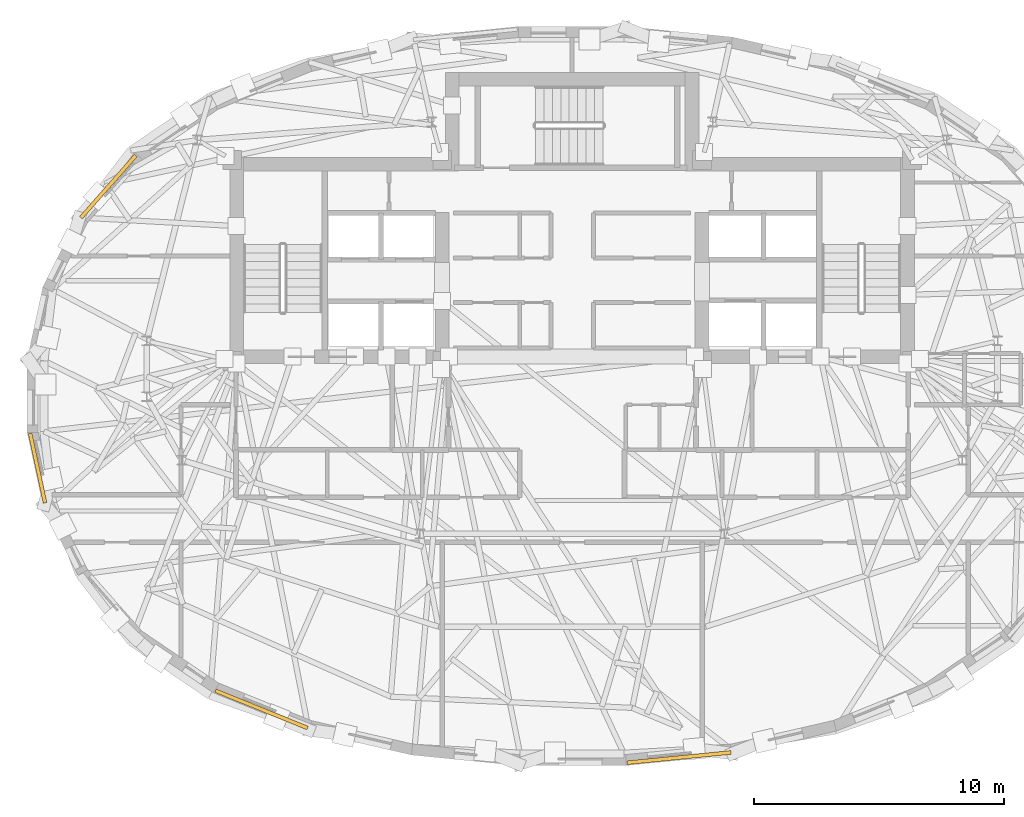
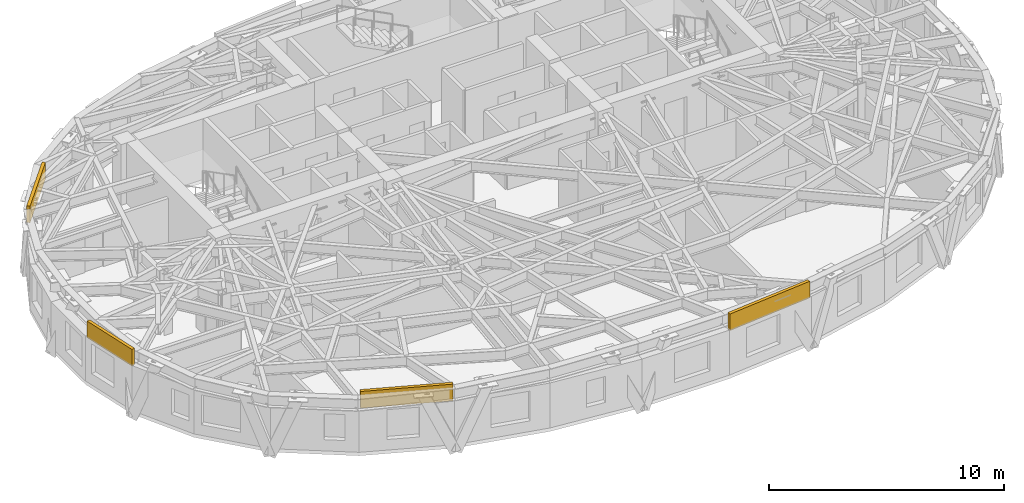
# One storey, part 11 of 13: 4 coverings.
"""IFC4 building model written with IfcOpenShell, lengths in metres."""

from ifc_helpers import new_model, si_unit, direction, frame, origin, origin_2d, place, context, subcontext, project, spatial, rectangle, extrude, material, layer, layer_set, type_object, element, save


model = new_model("IFC4")

# Units and contexts
model_context = context("Model", 3, precision=1e-05, world=origin(), true_north=direction((0.0, 1.0)))
body_context = subcontext(model_context, "Body", "Model", "MODEL_VIEW")
ifc_project = project(units=[si_unit("LENGTHUNIT", "METRE"), si_unit("AREAUNIT", "SQUARE_METRE"), si_unit("VOLUMEUNIT", "CUBIC_METRE"), si_unit("PLANEANGLEUNIT", "RADIAN"), si_unit("MASSUNIT", "GRAM", prefix="KILO")], contexts=[model_context])

# Site, building, storey
site_placement = place(None, origin())
site = spatial("IfcSite", under=ifc_project, at=site_placement, CompositionType="ELEMENT")
building_placement = place(site_placement, origin())
building = spatial("IfcBuilding", under=site, at=building_placement, Name="Keldmark Tower", CompositionType="ELEMENT")
storey_placement = place(building_placement, frame((0.0, 0.0, 244.64990234375)))
storey = spatial("IfcBuildingStorey", under=building, at=storey_placement, Name="L69", CompositionType="ELEMENT", Elevation=244.64990234375)

# Coverings
ifc_material = material(Name="Honed Kasota Buff Dolomitic Limestone", Category="masonry")
ifc_layer = layer(ifc_material, 0.074951171875)
ifc_layer_set = layer_set([ifc_layer], Name="Honed Kasota Buff Dolomitic Limestone")
covering_type = type_object("IfcCoveringType", Name="Kasota Buff Limestone Spandrel Cladding Band", PredefinedType="CLADDING", material=ifc_layer_set)
covering_1_placement = place(storey_placement, frame((-18.557373046875, 8.381591796875, 2.260009765625), z_axis=(0.0, 0.0, 1.0), x_axis=(-0.661364231344, -0.750064899525, 0.0)))
element("IfcCovering", 1, at=covering_1_placement, inside=storey, type_object=covering_type, Name="L69 Kasota Limestone Spandrel Band 13", PredefinedType="CLADDING", context=body_context, shape_type="SweptSolid", body=[
    extrude(rectangle(XDim=3.31201171875, YDim=0.14990234375, at=origin_2d()), origin(), (0.0, 0.0, 1.0), 0.8701171875),
])
covering_2_placement = place(storey_placement, frame((-21.389404296875, -2.884033203125, 2.260009765625), z_axis=(0.0, 0.0, 1.0), x_axis=(0.210540008659, -0.977585241682, 0.0)))
element("IfcCovering", 2, at=covering_2_placement, inside=storey, type_object=covering_type, Name="L69 Kasota Limestone Spandrel Band 17", PredefinedType="CLADDING", context=body_context, shape_type="SweptSolid", body=[
    extrude(rectangle(XDim=2.847412109375, YDim=0.14990234375, at=origin_2d()), origin(), (0.0, 0.0, 1.0), 0.8701171875),
])
covering_3_placement = place(storey_placement, frame((-12.426513671875, -12.53759765625, 2.260009765625), z_axis=(0.0, 0.0, 1.0), x_axis=(0.92672549442, -0.375739082333, 0.0)))
element("IfcCovering", 3, at=covering_3_placement, inside=storey, type_object=covering_type, Name="L69 Kasota Limestone Spandrel Band 21", PredefinedType="CLADDING", context=body_context, shape_type="SweptSolid", body=[
    extrude(rectangle(XDim=3.976318359375, YDim=0.14990234375, at=origin_2d()), origin(), (0.0, 0.0, 1.0), 0.8701171875),
])
covering_4_placement = place(storey_placement, frame((4.276123046875, -14.467529296875, 2.260009765625), z_axis=(0.0, 0.0, 1.0), x_axis=(0.995131548634, 0.098555572711, 0.0)))
element("IfcCovering", 4, at=covering_4_placement, inside=storey, type_object=covering_type, Name="L69 Kasota Limestone Spandrel Band 25", PredefinedType="CLADDING", context=body_context, shape_type="SweptSolid", body=[
    extrude(rectangle(XDim=4.17919921875, YDim=0.14990234375, at=origin_2d()), origin(), (0.0, 0.0, 1.0), 0.8701171875),
])

save(model, "model.ifc")
